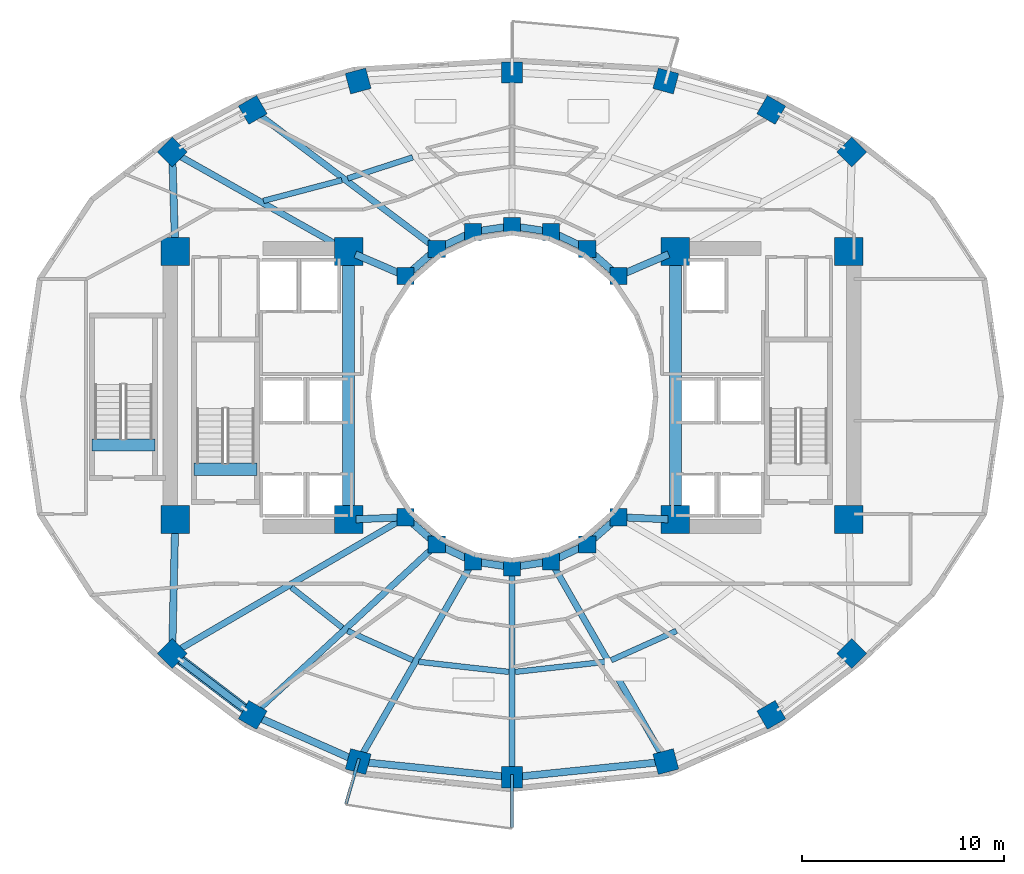
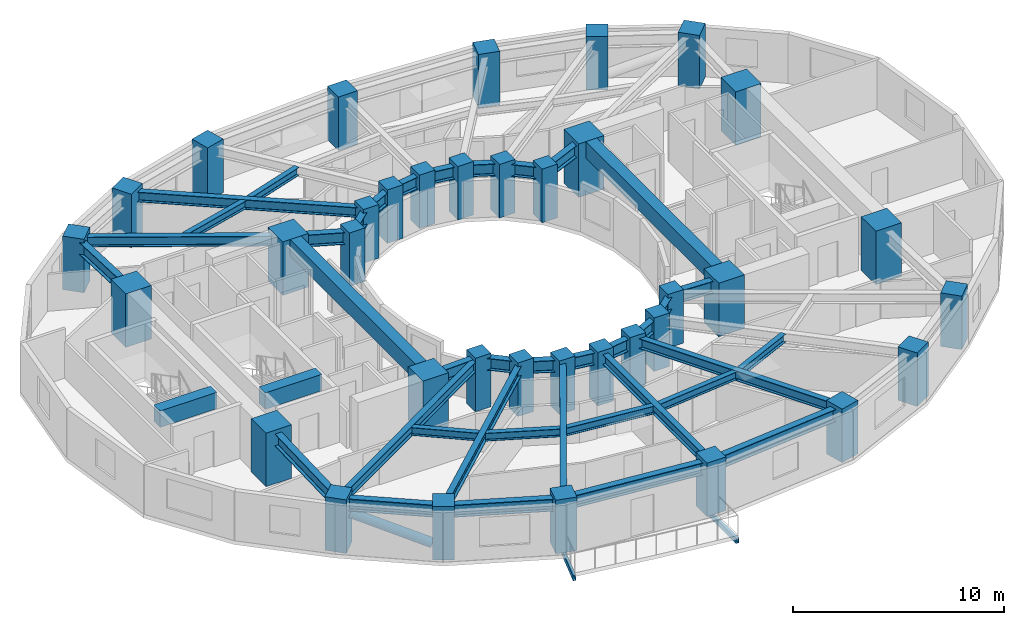
# One storey, part 1 of 9: 42 beams, 36 columns, 1 member.
"""IFC4 building model written with IfcOpenShell, lengths in metres."""

from ifc_helpers import new_model, si_unit, direction, frame, origin, origin_2d, place, context, subcontext, project, spatial, rectangle, hollow_rectangle, hollow_circle, i_section, extrude, material, material_profile, profile_set, type_object, element, save


model = new_model("IFC4")

# Units and contexts
model_context = context("Model", 3, precision=1e-05, world=origin(), true_north=direction((0.0, 1.0)))
body_context = subcontext(model_context, "Body", "Model", "MODEL_VIEW")
ifc_project = project(units=[si_unit("LENGTHUNIT", "METRE"), si_unit("AREAUNIT", "SQUARE_METRE"), si_unit("VOLUMEUNIT", "CUBIC_METRE"), si_unit("PLANEANGLEUNIT", "RADIAN"), si_unit("MASSUNIT", "GRAM", prefix="KILO")], contexts=[model_context])

# Site, building, storey
site_placement = place(None, origin())
site = spatial("IfcSite", under=ifc_project, at=site_placement, CompositionType="ELEMENT")
building_placement = place(site_placement, origin())
building = spatial("IfcBuilding", under=site, at=building_placement, Name="Solvane Sanctuary Tower", CompositionType="ELEMENT")
storey_placement = place(building_placement, frame((0.0, 0.0, 98.0)))
storey = spatial("IfcBuildingStorey", under=building, at=storey_placement, Name="L29", CompositionType="ELEMENT", Elevation=98.0)

# Columns
ifc_material_1 = material(Name="Concrete C70/85", Category="concrete")
ifc_material_profile_1 = material_profile(ifc_material_1, rectangle(XDim=1.39990234375, YDim=1.39990234375, at=origin_2d()), Name="RC1400X1400")
ifc_profile_set_1 = profile_set([ifc_material_profile_1], Name="Concrete C70/85")
column_type_1 = type_object("IfcColumnType", Name="Column C-POD-INT RC1400X1400", PredefinedType="COLUMN", material=ifc_profile_set_1)
for number, where, z_axis, x_axis, name in (
    (1, (15.300048828125, 16.89990234375, 0.0), (0.0, 0.0, 1.0), (1.0, 0.0, 0.0), "L29 Core Corner Column CW1"),
    (2, (23.89990234375, 16.89990234375, 0.0), (0.0, 0.0, 1.0), (1.0, 0.0, 0.0), "L29 Core Corner Column CW2"),
    (3, (23.89990234375, 30.199951171875, 0.0), (0.0, 0.0, 1.0), (1.0, 0.0, 0.0), "L29 Core Corner Column CW3"),
    (4, (15.300048828125, 30.199951171875, 0.0), (0.0, 0.0, 1.0), (1.0, 0.0, 0.0), "L29 Core Corner Column CW4"),
    (5, (40.10009765625, 16.89990234375, 0.0), (0.0, 0.0, 1.0), (1.0, 0.0, 0.0), "L29 Core Corner Column CE1"),
    (6, (48.699951171875, 16.89990234375, 0.0), (0.0, 0.0, 1.0), (1.0, 0.0, 0.0), "L29 Core Corner Column CE2"),
    (7, (48.699951171875, 30.199951171875, 0.0), (0.0, 0.0, 1.0), (1.0, 0.0, 0.0), "L29 Core Corner Column CE3"),
    (8, (40.10009765625, 30.199951171875, 0.0), (0.0, 0.0, 1.0), (1.0, 0.0, 0.0), "L29 Core Corner Column CE4"),
):
    element("IfcColumn", number, at=place(storey_placement, frame(where, z_axis=z_axis, x_axis=x_axis)), inside=storey, type_object=column_type_1, Name=name, PredefinedType="COLUMN", context=body_context, shape_type="SweptSolid", body=[
        extrude(rectangle(XDim=1.39990234375, YDim=1.39990234375, at=origin_2d()), origin(), (0.0, 0.0, 1.0), 3.10009765625),
    ])
ifc_material_2 = material(Name="Concrete C60/75", Category="concrete")
ifc_material_profile_2 = material_profile(ifc_material_2, rectangle(XDim=0.85009765625, YDim=0.85009765625, at=origin_2d()), Name="RC850X850")
ifc_profile_set_2 = profile_set([ifc_material_profile_2], Name="Concrete C60/75")
column_type_2 = type_object("IfcColumnType", Name="Column C-RING-Z2 RC850X850", PredefinedType="COLUMN", material=ifc_profile_set_2)
for number, where, z_axis, x_axis, name in (
    (9, (37.27490234375, 28.982177734375, 0.0), (0.0, 0.0, 1.0), (1.0, 0.0, 0.0), "L29 Inner Light-Well Ring Column IC01"),
    (10, (35.72998046875, 30.32666015625, 0.0), (0.0, 0.0, 1.0), (1.0, 0.0, 0.0), "L29 Inner Light-Well Ring Column IC02"),
    (11, (33.930908203125, 31.171630859375, 0.0), (0.0, 0.0, 1.0), (1.0, 0.0, 0.0), "L29 Inner Light-Well Ring Column IC03"),
    (12, (32.0, 31.4599609375, 0.0), (0.0, 0.0, 1.0), (1.0, 0.0, 0.0), "L29 Inner Light-Well Ring Column IC04"),
    (13, (30.069091796875, 31.171630859375, 0.0), (0.0, 0.0, 1.0), (1.0, 0.0, 0.0), "L29 Inner Light-Well Ring Column IC05"),
    (14, (28.27001953125, 30.32666015625, 0.0), (0.0, 0.0, 1.0), (1.0, 0.0, 0.0), "L29 Inner Light-Well Ring Column IC06"),
    (15, (26.72509765625, 28.982177734375, 0.0), (0.0, 0.0, 1.0), (1.0, 0.0, 0.0), "L29 Inner Light-Well Ring Column IC07"),
    (16, (26.72509765625, 17.017822265625, 0.0), (0.0, 0.0, 1.0), (1.0, 0.0, 0.0), "L29 Inner Light-Well Ring Column IC08"),
    (17, (28.27001953125, 15.67333984375, 0.0), (0.0, 0.0, 1.0), (1.0, 0.0, 0.0), "L29 Inner Light-Well Ring Column IC09"),
    (18, (30.069091796875, 14.828369140625, 0.0), (0.0, 0.0, 1.0), (1.0, 0.0, 0.0), "L29 Inner Light-Well Ring Column IC10"),
    (19, (32.0, 14.5400390625, 0.0), (0.0, 0.0, 1.0), (1.0, 0.0, 0.0), "L29 Inner Light-Well Ring Column IC11"),
    (20, (33.930908203125, 14.828369140625, 0.0), (0.0, 0.0, 1.0), (1.0, 0.0, 0.0), "L29 Inner Light-Well Ring Column IC12"),
    (21, (35.72998046875, 15.67333984375, 0.0), (0.0, 0.0, 1.0), (1.0, 0.0, 0.0), "L29 Inner Light-Well Ring Column IC13"),
    (22, (37.27490234375, 17.017822265625, 0.0), (0.0, 0.0, 1.0), (1.0, 0.0, 0.0), "L29 Inner Light-Well Ring Column IC14"),
):
    element("IfcColumn", number, at=place(storey_placement, frame(where, z_axis=z_axis, x_axis=x_axis)), inside=storey, type_object=column_type_2, Name=name, PredefinedType="COLUMN", context=body_context, shape_type="SweptSolid", body=[
        extrude(rectangle(XDim=0.85009765625, YDim=0.85009765625, at=origin_2d()), origin(), (0.0, 0.0, 1.0), 3.10009765625),
    ])
ifc_material_profile_3 = material_profile(ifc_material_2, rectangle(XDim=1.050048828125, YDim=1.050048828125, at=origin_2d()), Name="RC1050X1050")
ifc_profile_set_3 = profile_set([ifc_material_profile_3], Name="Concrete C60/75")
column_type_3 = type_object("IfcColumnType", Name="Column C-TUBE-Z2 RC1050X1050", PredefinedType="COLUMN", material=ifc_profile_set_3)
for number, where, z_axis, x_axis, name in (
    (23, (48.85302734375, 35.13818359375, 0.0), (0.0, 0.0, 1.0), (0.707106781187, 0.707106781187, 0.0), "L29 Perimeter Tube Column TC01"),
    (24, (44.8583984375, 37.217529296875, 0.0), (0.0, 0.0, 1.0), (0.5, 0.866025403784, 0.0), "L29 Perimeter Tube Column TC02"),
    (25, (39.62939453125, 38.652099609375, 0.0), (0.0, 0.0, 1.0), (0.258819045103, 0.965925826289, 0.0), "L29 Perimeter Tube Column TC03"),
    (26, (32.0, 39.080078125, 0.0), (0.0, 0.0, 1.0), (0.0, 1.0, 0.0), "L29 Perimeter Tube Column TC04"),
    (27, (24.37060546875, 38.652099609375, 0.0), (0.0, 0.0, 1.0), (-0.258819045103, 0.965925826289, 0.0), "L29 Perimeter Tube Column TC05"),
    (28, (19.1416015625, 37.217529296875, 0.0), (0.0, 0.0, 1.0), (-0.5, 0.866025403784, 0.0), "L29 Perimeter Tube Column TC06"),
    (29, (15.14697265625, 35.13818359375, 0.0), (0.0, 0.0, 1.0), (-0.707106781187, 0.707106781187, 0.0), "L29 Perimeter Tube Column TC07"),
    (30, (15.14697265625, 10.257080078125, 0.0), (0.0, 0.0, 1.0), (-0.707106781187, -0.707106781187, 0.0), "L29 Perimeter Tube Column TC08"),
    (31, (19.1416015625, 7.2138671875, 0.0), (0.0, 0.0, 1.0), (-0.5, -0.866025403784, 0.0), "L29 Perimeter Tube Column TC09"),
    (32, (24.37060546875, 4.89990234375, 0.0), (0.0, 0.0, 1.0), (-0.258819045103, -0.965925826289, 0.0), "L29 Perimeter Tube Column TC10"),
    (33, (32.0, 4.1201171875, 0.0), (0.0, 0.0, 1.0), (0.0, -1.0, 0.0), "L29 Perimeter Tube Column TC11"),
    (34, (39.62939453125, 4.89990234375, 0.0), (0.0, 0.0, 1.0), (0.258819045103, -0.965925826289, 0.0), "L29 Perimeter Tube Column TC12"),
    (35, (44.8583984375, 7.2138671875, 0.0), (0.0, 0.0, 1.0), (0.5, -0.866025403784, 0.0), "L29 Perimeter Tube Column TC13"),
    (36, (48.85302734375, 10.257080078125, 0.0), (0.0, 0.0, 1.0), (0.707106781187, -0.707106781187, 0.0), "L29 Perimeter Tube Column TC14"),
):
    element("IfcColumn", number, at=place(storey_placement, frame(where, z_axis=z_axis, x_axis=x_axis)), inside=storey, type_object=column_type_3, Name=name, PredefinedType="COLUMN", context=body_context, shape_type="SweptSolid", body=[
        extrude(rectangle(XDim=1.050048828125, YDim=1.050048828125, at=origin_2d()), origin(), (0.0, 0.0, 1.0), 3.10009765625),
    ])

# Beams
ifc_material_3 = material(Name="Steel ASTM A500 Grade C", Category="steel")
ifc_material_profile_4 = material_profile(ifc_material_3, hollow_rectangle(XDim=0.14990234375, YDim=0.300048828125, WallThickness=0.010009765625, at=origin_2d()), Name="HSS300X150X10")
ifc_profile_set_4 = profile_set([ifc_material_profile_4], Name="Steel ASTM A500 Grade C")
beam_type_1 = type_object("IfcBeamType", Name="Beam B-BALC-BRK HSS300X150X10", PredefinedType="BEAM", material=ifc_profile_set_4)
beam_1_placement = place(storey_placement, frame((24.412109375, 5.044189453125, -0.3720703125), z_axis=(-0.277451374263, -0.960739681141, 0.0), x_axis=(0.960739681141, -0.277451374263, 0.0)))
element("IfcBeam", 37, at=beam_1_placement, inside=storey, type_object=beam_type_1, Name="L29 Balcony Bracket SC-1", PredefinedType="BEAM", context=body_context, shape_type="SweptSolid", body=[
    extrude(hollow_rectangle(XDim=0.14990234375, YDim=0.300048828125, WallThickness=0.010009765625, at=origin_2d()), origin(), (0.0, 0.0, 1.0), 2.32568359375),
])
beam_2_placement = place(storey_placement, frame((32.0, 4.27001953125, -0.3720703125), z_axis=(0.0, -1.0, 0.0), x_axis=(1.0, 0.0, 0.0)))
element("IfcBeam", 38, at=beam_2_placement, inside=storey, type_object=beam_type_1, Name="L29 Balcony Bracket SC-2", PredefinedType="BEAM", context=body_context, shape_type="SweptSolid", body=[
    extrude(hollow_rectangle(XDim=0.14990234375, YDim=0.300048828125, WallThickness=0.010009765625, at=origin_2d()), origin(), (0.0, 0.0, 1.0), 2.64794921875),
])
ifc_material_profile_5 = material_profile(ifc_material_1, rectangle(XDim=0.60009765625, YDim=0.949951171875, at=origin_2d()), Name="RC600X950")
ifc_profile_set_5 = profile_set([ifc_material_profile_5], Name="Concrete C70/85")
beam_type_2 = type_object("IfcBeamType", Name="Beam B-COUPLE RC600X950", PredefinedType="LINTEL", material=ifc_profile_set_5)
for number, where, z_axis, x_axis, name in (
    (39, (23.89990234375, 17.35009765625, 2.625), (0.0, 1.0, 0.0), (-1.0, 0.0, 0.0), "L29 West Core Coupling Lintel"),
    (40, (40.10009765625, 17.35009765625, 2.625), (0.0, 1.0, 0.0), (-1.0, 0.0, 0.0), "L29 East Core Coupling Lintel"),
):
    element("IfcBeam", number, at=place(storey_placement, frame(where, z_axis=z_axis, x_axis=x_axis)), inside=storey, type_object=beam_type_2, Name=name, PredefinedType="LINTEL", context=body_context, shape_type="SweptSolid", body=[
        extrude(rectangle(XDim=0.60009765625, YDim=0.949951171875, at=origin_2d()), origin(), (0.0, 0.0, 1.0), 12.39990234375),
    ])
for number, where, z_axis, x_axis, name in (
    (41, (16.22998046875, 19.399169921875, 2.625), (1.0, 0.0, 0.0), (0.0, 1.0, 0.0), "L29 ST-1 Stair Floor Landing Trimmer"),
    (42, (11.169921875, 20.59912109375, 2.625), (1.0, 0.0, 0.0), (0.0, 1.0, 0.0), "L29 ST-3 Stair Floor Landing Trimmer"),
):
    element("IfcBeam", number, at=place(storey_placement, frame(where, z_axis=z_axis, x_axis=x_axis)), inside=storey, type_object=beam_type_2, Name=name, PredefinedType="LINTEL", context=body_context, shape_type="SweptSolid", body=[
        extrude(rectangle(XDim=0.60009765625, YDim=0.949951171875, at=origin_2d()), origin(), (0.0, 0.0, 1.0), 3.1201171875),
    ])
ifc_material_4 = material(Name="Steel ASTM A992 Grade 50", Category="steel")
ifc_material_profile_6 = material_profile(ifc_material_4, i_section(OverallWidth=0.31494140625, OverallDepth=0.575927734375, WebThickness=0.01513671875, FlangeThickness=0.0244140625, FilletRadius=0.014892578125, at=origin_2d()), Name="W21X122")
ifc_profile_set_6 = profile_set([ifc_material_profile_6], Name="Steel ASTM A992 Grade 50")
beam_type_3 = type_object("IfcBeamType", Name="Beam B-RAD-Z2 W21X122", PredefinedType="BEAM", material=ifc_profile_set_6)
beam_3_placement = place(storey_placement, frame((28.04638671875, 30.495361328125, 2.590087890625), z_axis=(-0.798116040134, 0.602503764703, 0.0), x_axis=(-0.602503764703, -0.798116040134, 0.0)))
element("IfcBeam", 43, at=beam_3_placement, inside=storey, type_object=beam_type_3, Name="L29 Radial Composite Floor Beam 06", PredefinedType="BEAM", context=body_context, shape_type="SweptSolid", body=[
    extrude(i_section(OverallWidth=0.31494140625, OverallDepth=0.575927734375, WebThickness=0.01513671875, FlangeThickness=0.0244140625, FilletRadius=0.014892578125, at=origin_2d()), origin(), (0.0, 0.0, 1.0), 10.876953125),
])
beam_4_placement = place(storey_placement, frame((23.58642578125, 30.376953125, 2.590087890625), z_axis=(-0.870960247151, 0.491353485673, 0.0), x_axis=(-0.491353485673, -0.870960247151, 0.0)))
element("IfcBeam", 44, at=beam_4_placement, inside=storey, type_object=beam_type_3, Name="L29 Radial Composite Floor Beam 07", PredefinedType="BEAM", context=body_context, shape_type="SweptSolid", body=[
    extrude(i_section(OverallWidth=0.31494140625, OverallDepth=0.575927734375, WebThickness=0.01513671875, FlangeThickness=0.0244140625, FilletRadius=0.014892578125, at=origin_2d()), origin(), (0.0, 0.0, 1.0), 9.409912109375),
])
beam_5_placement = place(storey_placement, frame((26.483154296875, 16.876708984375, 2.590087890625), z_axis=(-0.863554121542, -0.504256164234, 0.0), x_axis=(0.504256164234, -0.863554121542, 0.0)))
element("IfcBeam", 45, at=beam_5_placement, inside=storey, type_object=beam_type_3, Name="L29 Radial Composite Floor Beam 08", PredefinedType="BEAM", context=body_context, shape_type="SweptSolid", body=[
    extrude(i_section(OverallWidth=0.31494140625, OverallDepth=0.575927734375, WebThickness=0.01513671875, FlangeThickness=0.0244140625, FilletRadius=0.014892578125, at=origin_2d()), origin(), (0.0, 0.0, 1.0), 12.84716796875),
])
beam_6_placement = place(storey_placement, frame((28.064697265625, 15.483154296875, 2.590087890625), z_axis=(-0.733453775248, -0.679739332078, 0.0), x_axis=(0.679739332078, -0.733453775248, 0.0)))
element("IfcBeam", 46, at=beam_6_placement, inside=storey, type_object=beam_type_3, Name="L29 Radial Composite Floor Beam 09", PredefinedType="BEAM", context=body_context, shape_type="SweptSolid", body=[
    extrude(i_section(OverallWidth=0.31494140625, OverallDepth=0.575927734375, WebThickness=0.01513671875, FlangeThickness=0.0244140625, FilletRadius=0.014892578125, at=origin_2d()), origin(), (0.0, 0.0, 1.0), 11.885498046875),
])
beam_7_placement = place(storey_placement, frame((29.9296875, 14.58544921875, 2.590087890625), z_axis=(-0.497792245326, -0.8672963049, 0.0), x_axis=(0.8672963049, -0.497792245326, 0.0)))
element("IfcBeam", 47, at=beam_7_placement, inside=storey, type_object=beam_type_3, Name="L29 Radial Composite Floor Beam 10", PredefinedType="BEAM", context=body_context, shape_type="SweptSolid", body=[
    extrude(i_section(OverallWidth=0.31494140625, OverallDepth=0.575927734375, WebThickness=0.01513671875, FlangeThickness=0.0244140625, FilletRadius=0.014892578125, at=origin_2d()), origin(), (0.0, 0.0, 1.0), 10.887451171875),
])
beam_8_placement = place(storey_placement, frame((32.0, 14.260009765625, 2.590087890625), z_axis=(0.0, -1.0, 0.0), x_axis=(1.0, 0.0, 0.0)))
element("IfcBeam", 48, at=beam_8_placement, inside=storey, type_object=beam_type_3, Name="L29 Radial Composite Floor Beam 11", PredefinedType="BEAM", context=body_context, shape_type="SweptSolid", body=[
    extrude(i_section(OverallWidth=0.31494140625, OverallDepth=0.575927734375, WebThickness=0.01513671875, FlangeThickness=0.0244140625, FilletRadius=0.014892578125, at=origin_2d()), origin(), (0.0, 0.0, 1.0), 9.860107421875),
])
beam_9_placement = place(storey_placement, frame((34.0703125, 14.58544921875, 2.590087890625), z_axis=(0.497792245326, -0.8672963049, 0.0), x_axis=(0.8672963049, 0.497792245326, 0.0)))
element("IfcBeam", 49, at=beam_9_placement, inside=storey, type_object=beam_type_3, Name="L29 Radial Composite Floor Beam 12", PredefinedType="BEAM", context=body_context, shape_type="SweptSolid", body=[
    extrude(i_section(OverallWidth=0.31494140625, OverallDepth=0.575927734375, WebThickness=0.01513671875, FlangeThickness=0.0244140625, FilletRadius=0.014892578125, at=origin_2d()), origin(), (0.0, 0.0, 1.0), 10.887451171875),
])
ifc_material_profile_7 = material_profile(ifc_material_4, i_section(OverallWidth=0.35498046875, OverallDepth=0.695068359375, WebThickness=0.015380859375, FlangeThickness=0.02490234375, FilletRadius=0.01806640625, at=origin_2d()), Name="W27X146")
ifc_profile_set_7 = profile_set([ifc_material_profile_7], Name="Steel ASTM A992 Grade 50")
beam_type_4 = type_object("IfcBeamType", Name="Beam B-RING-IN1 W27X146", PredefinedType="BEAM", material=ifc_profile_set_7)
beam_10_placement = place(storey_placement, frame((24.230712890625, 30.0576171875, 2.530517578125), z_axis=(0.918261456479, -0.3959746173, 0.0), x_axis=(0.3959746173, 0.918261456479, 0.0)))
element("IfcBeam", 50, at=beam_10_placement, inside=storey, type_object=beam_type_4, Name="L29 Inner Light-Well Ring Beam CW3-IC07", PredefinedType="BEAM", context=body_context, shape_type="SweptSolid", body=[
    extrude(i_section(OverallWidth=0.35498046875, OverallDepth=0.695068359375, WebThickness=0.015380859375, FlangeThickness=0.02490234375, FilletRadius=0.01806640625, at=origin_2d()), origin(), (0.0, 0.0, 1.0), 2.3212890625),
])
beam_11_placement = place(storey_placement, frame((27.02294921875, 29.241455078125, 2.530517578125), z_axis=(0.754317177099, 0.656510164684, 0.0), x_axis=(-0.656510164684, 0.754317177099, 0.0)))
element("IfcBeam", 51, at=beam_11_placement, inside=storey, type_object=beam_type_4, Name="L29 Inner Light-Well Ring Beam IC07-IC06", PredefinedType="BEAM", context=body_context, shape_type="SweptSolid", body=[
    extrude(i_section(OverallWidth=0.35498046875, OverallDepth=0.695068359375, WebThickness=0.015380859375, FlangeThickness=0.02490234375, FilletRadius=0.01806640625, at=origin_2d()), origin(), (0.0, 0.0, 1.0), 1.258056640625),
])
beam_12_placement = place(storey_placement, frame((28.62744140625, 30.494384765625, 2.530517578125), z_axis=(0.905044882818, 0.425316070804, 0.0), x_axis=(-0.425316070804, 0.905044882818, 0.0)))
element("IfcBeam", 52, at=beam_12_placement, inside=storey, type_object=beam_type_4, Name="L29 Inner Light-Well Ring Beam IC06-IC05", PredefinedType="BEAM", context=body_context, shape_type="SweptSolid", body=[
    extrude(i_section(OverallWidth=0.35498046875, OverallDepth=0.695068359375, WebThickness=0.015380859375, FlangeThickness=0.02490234375, FilletRadius=0.01806640625, at=origin_2d()), origin(), (0.0, 0.0, 1.0), 1.197998046875),
])
for number, where, z_axis, x_axis, name in (
    (53, (30.4599609375, 31.22998046875, 2.530517578125), (0.989034751611, 0.147682971619, 0.0), (-0.147682971619, 0.989034751611, 0.0), "L29 Inner Light-Well Ring Beam IC05-IC04"),
    (54, (32.390625, 31.401611328125, 2.530517578125), (0.989034751611, -0.147682971619, 0.0), (0.147682971619, 0.989034751611, 0.0), "L29 Inner Light-Well Ring Beam IC04-IC03"),
):
    element("IfcBeam", number, at=place(storey_placement, frame(where, z_axis=z_axis, x_axis=x_axis)), inside=storey, type_object=beam_type_4, Name=name, PredefinedType="BEAM", context=body_context, shape_type="SweptSolid", body=[
        extrude(i_section(OverallWidth=0.35498046875, OverallDepth=0.695068359375, WebThickness=0.015380859375, FlangeThickness=0.02490234375, FilletRadius=0.01806640625, at=origin_2d()), origin(), (0.0, 0.0, 1.0), 1.162109375),
    ])
beam_13_placement = place(storey_placement, frame((34.288330078125, 31.00390625, 2.530517578125), z_axis=(0.905044882818, -0.425316070804, 0.0), x_axis=(0.425316070804, 0.905044882818, 0.0)))
element("IfcBeam", 55, at=beam_13_placement, inside=storey, type_object=beam_type_4, Name="L29 Inner Light-Well Ring Beam IC03-IC02", PredefinedType="BEAM", context=body_context, shape_type="SweptSolid", body=[
    extrude(i_section(OverallWidth=0.35498046875, OverallDepth=0.695068359375, WebThickness=0.015380859375, FlangeThickness=0.02490234375, FilletRadius=0.01806640625, at=origin_2d()), origin(), (0.0, 0.0, 1.0), 1.197998046875),
])
beam_14_placement = place(storey_placement, frame((36.028076171875, 30.0673828125, 2.530517578125), z_axis=(0.754317177099, -0.656510164684, 0.0), x_axis=(0.656510164684, 0.754317177099, 0.0)))
element("IfcBeam", 56, at=beam_14_placement, inside=storey, type_object=beam_type_4, Name="L29 Inner Light-Well Ring Beam IC02-IC01", PredefinedType="BEAM", context=body_context, shape_type="SweptSolid", body=[
    extrude(i_section(OverallWidth=0.35498046875, OverallDepth=0.695068359375, WebThickness=0.015380859375, FlangeThickness=0.02490234375, FilletRadius=0.01806640625, at=origin_2d()), origin(), (0.0, 0.0, 1.0), 1.258056640625),
])
beam_15_placement = place(storey_placement, frame((37.6376953125, 29.138427734375, 2.530517578125), z_axis=(0.918261456479, 0.3959746173, 0.0), x_axis=(-0.3959746173, 0.918261456479, 0.0)))
element("IfcBeam", 57, at=beam_15_placement, inside=storey, type_object=beam_type_4, Name="L29 Inner Light-Well Ring Beam IC01-CE4", PredefinedType="BEAM", context=body_context, shape_type="SweptSolid", body=[
    extrude(i_section(OverallWidth=0.35498046875, OverallDepth=0.695068359375, WebThickness=0.015380859375, FlangeThickness=0.02490234375, FilletRadius=0.01806640625, at=origin_2d()), origin(), (0.0, 0.0, 1.0), 2.3212890625),
])
beam_16_placement = place(storey_placement, frame((24.259765625, 16.9150390625, 2.530517578125), z_axis=(0.999130007788, 0.041704047018, 0.0), x_axis=(-0.041704047018, 0.999130007788, 0.0)))
element("IfcBeam", 58, at=beam_16_placement, inside=storey, type_object=beam_type_4, Name="L29 Inner Light-Well Ring Beam CW2-IC08", PredefinedType="BEAM", context=body_context, shape_type="SweptSolid", body=[
    extrude(i_section(OverallWidth=0.35498046875, OverallDepth=0.695068359375, WebThickness=0.015380859375, FlangeThickness=0.02490234375, FilletRadius=0.01806640625, at=origin_2d()), origin(), (0.0, 0.0, 1.0), 2.072265625),
])
beam_17_placement = place(storey_placement, frame((27.02294921875, 16.758544921875, 2.530517578125), z_axis=(0.754317177099, -0.656510164684, 0.0), x_axis=(0.656510164684, 0.754317177099, 0.0)))
element("IfcBeam", 59, at=beam_17_placement, inside=storey, type_object=beam_type_4, Name="L29 Inner Light-Well Ring Beam IC08-IC09", PredefinedType="BEAM", context=body_context, shape_type="SweptSolid", body=[
    extrude(i_section(OverallWidth=0.35498046875, OverallDepth=0.695068359375, WebThickness=0.015380859375, FlangeThickness=0.02490234375, FilletRadius=0.01806640625, at=origin_2d()), origin(), (0.0, 0.0, 1.0), 1.258056640625),
])
beam_18_placement = place(storey_placement, frame((28.62744140625, 15.505615234375, 2.530517578125), z_axis=(0.905044882818, -0.425316070804, 0.0), x_axis=(0.425316070804, 0.905044882818, 0.0)))
element("IfcBeam", 60, at=beam_18_placement, inside=storey, type_object=beam_type_4, Name="L29 Inner Light-Well Ring Beam IC09-IC10", PredefinedType="BEAM", context=body_context, shape_type="SweptSolid", body=[
    extrude(i_section(OverallWidth=0.35498046875, OverallDepth=0.695068359375, WebThickness=0.015380859375, FlangeThickness=0.02490234375, FilletRadius=0.01806640625, at=origin_2d()), origin(), (0.0, 0.0, 1.0), 1.197998046875),
])
for number, where, z_axis, x_axis, name in (
    (61, (30.4599609375, 14.77001953125, 2.530517578125), (0.989034751611, -0.147682971619, 0.0), (0.147682971619, 0.989034751611, 0.0), "L29 Inner Light-Well Ring Beam IC10-IC11"),
    (62, (32.390625, 14.598388671875, 2.530517578125), (0.989034751611, 0.147682971619, 0.0), (-0.147682971619, 0.989034751611, 0.0), "L29 Inner Light-Well Ring Beam IC11-IC12"),
):
    element("IfcBeam", number, at=place(storey_placement, frame(where, z_axis=z_axis, x_axis=x_axis)), inside=storey, type_object=beam_type_4, Name=name, PredefinedType="BEAM", context=body_context, shape_type="SweptSolid", body=[
        extrude(i_section(OverallWidth=0.35498046875, OverallDepth=0.695068359375, WebThickness=0.015380859375, FlangeThickness=0.02490234375, FilletRadius=0.01806640625, at=origin_2d()), origin(), (0.0, 0.0, 1.0), 1.162109375),
    ])
beam_19_placement = place(storey_placement, frame((34.288330078125, 14.99609375, 2.530517578125), z_axis=(0.905044882818, 0.425316070804, 0.0), x_axis=(-0.425316070804, 0.905044882818, 0.0)))
element("IfcBeam", 63, at=beam_19_placement, inside=storey, type_object=beam_type_4, Name="L29 Inner Light-Well Ring Beam IC12-IC13", PredefinedType="BEAM", context=body_context, shape_type="SweptSolid", body=[
    extrude(i_section(OverallWidth=0.35498046875, OverallDepth=0.695068359375, WebThickness=0.015380859375, FlangeThickness=0.02490234375, FilletRadius=0.01806640625, at=origin_2d()), origin(), (0.0, 0.0, 1.0), 1.197998046875),
])
beam_20_placement = place(storey_placement, frame((36.028076171875, 15.9326171875, 2.530517578125), z_axis=(0.754317177099, 0.656510164684, 0.0), x_axis=(-0.656510164684, 0.754317177099, 0.0)))
element("IfcBeam", 64, at=beam_20_placement, inside=storey, type_object=beam_type_4, Name="L29 Inner Light-Well Ring Beam IC13-IC14", PredefinedType="BEAM", context=body_context, shape_type="SweptSolid", body=[
    extrude(i_section(OverallWidth=0.35498046875, OverallDepth=0.695068359375, WebThickness=0.015380859375, FlangeThickness=0.02490234375, FilletRadius=0.01806640625, at=origin_2d()), origin(), (0.0, 0.0, 1.0), 1.258056640625),
])
beam_21_placement = place(storey_placement, frame((37.669677734375, 17.00146484375, 2.530517578125), z_axis=(0.999130007788, -0.041704047018, 0.0), x_axis=(0.041704047018, 0.999130007788, 0.0)))
element("IfcBeam", 65, at=beam_21_placement, inside=storey, type_object=beam_type_4, Name="L29 Inner Light-Well Ring Beam IC14-CE1", PredefinedType="BEAM", context=body_context, shape_type="SweptSolid", body=[
    extrude(i_section(OverallWidth=0.35498046875, OverallDepth=0.695068359375, WebThickness=0.015380859375, FlangeThickness=0.02490234375, FilletRadius=0.01806640625, at=origin_2d()), origin(), (0.0, 0.0, 1.0), 2.072265625),
])
ifc_material_profile_8 = material_profile(ifc_material_4, i_section(OverallWidth=0.280029296875, OverallDepth=0.462890625, WebThickness=0.0107421875, FlangeThickness=0.017333984375, FilletRadius=0.013916015625, at=origin_2d()), Name="W18X76")
ifc_profile_set_8 = profile_set([ifc_material_profile_8], Name="Steel ASTM A992 Grade 50")
beam_type_5 = type_object("IfcBeamType", Name="Beam B-SEC-JOIST W18X76", PredefinedType="JOIST", material=ifc_profile_set_8)
beam_22_placement = place(storey_placement, frame((19.6708984375, 32.7080078125, 2.646484375), z_axis=(0.966943832831, 0.2549894589, 0.0), x_axis=(-0.2549894589, 0.966943832831, 0.0)))
element("IfcBeam", 66, at=beam_22_placement, inside=storey, type_object=beam_type_5, Name="L29 Secondary Circumferential Joist 07-06", PredefinedType="JOIST", context=body_context, shape_type="SweptSolid", body=[
    extrude(i_section(OverallWidth=0.280029296875, OverallDepth=0.462890625, WebThickness=0.0107421875, FlangeThickness=0.017333984375, FilletRadius=0.013916015625, at=origin_2d()), origin(), (0.0, 0.0, 1.0), 4.020263671875),
])
beam_23_placement = place(storey_placement, frame((23.850830078125, 33.819091796875, 2.646484375), z_axis=(0.951216534175, 0.308524075416, 0.0), x_axis=(-0.308524075416, 0.951216534175, 0.0)))
element("IfcBeam", 67, at=beam_23_placement, inside=storey, type_object=beam_type_5, Name="L29 Secondary Circumferential Joist 06-05", PredefinedType="JOIST", context=body_context, shape_type="SweptSolid", body=[
    extrude(i_section(OverallWidth=0.280029296875, OverallDepth=0.462890625, WebThickness=0.0107421875, FlangeThickness=0.017333984375, FilletRadius=0.013916015625, at=origin_2d()), origin(), (0.0, 0.0, 1.0), 3.38916015625),
])
beam_24_placement = place(storey_placement, frame((21.055419921875, 13.54296875, 2.646484375), z_axis=(0.783877123324, -0.620915981055, 0.0), x_axis=(0.620915981055, 0.783877123324, 0.0)))
element("IfcBeam", 68, at=beam_24_placement, inside=storey, type_object=beam_type_5, Name="L29 Secondary Circumferential Joist 08-09", PredefinedType="JOIST", context=body_context, shape_type="SweptSolid", body=[
    extrude(i_section(OverallWidth=0.280029296875, OverallDepth=0.462890625, WebThickness=0.0107421875, FlangeThickness=0.017333984375, FilletRadius=0.013916015625, at=origin_2d()), origin(), (0.0, 0.0, 1.0), 3.228515625),
])
beam_25_placement = place(storey_placement, frame((23.844970703125, 11.381103515625, 2.646484375), z_axis=(0.912109406194, -0.409946863792, 0.0), x_axis=(0.409946863792, 0.912109406194, 0.0)))
element("IfcBeam", 69, at=beam_25_placement, inside=storey, type_object=beam_type_5, Name="L29 Secondary Circumferential Joist 09-10", PredefinedType="JOIST", context=body_context, shape_type="SweptSolid", body=[
    extrude(i_section(OverallWidth=0.280029296875, OverallDepth=0.462890625, WebThickness=0.0107421875, FlangeThickness=0.017333984375, FilletRadius=0.013916015625, at=origin_2d()), origin(), (0.0, 0.0, 1.0), 3.547607421875),
])
for number, where, z_axis, x_axis, name in (
    (70, (27.37158203125, 9.847412109375, 2.646484375), (0.993808821383, -0.111103674747, 0.0), (0.111103674747, 0.993808821383, 0.0), "L29 Secondary Circumferential Joist 10-11"),
    (71, (32.151611328125, 9.346923828125, 2.646484375), (0.993808821383, 0.111103674747, 0.0), (-0.111103674747, 0.993808821383, 0.0), "L29 Secondary Circumferential Joist 11-12"),
):
    element("IfcBeam", number, at=place(storey_placement, frame(where, z_axis=z_axis, x_axis=x_axis)), inside=storey, type_object=beam_type_5, Name=name, PredefinedType="JOIST", context=body_context, shape_type="SweptSolid", body=[
        extrude(i_section(OverallWidth=0.280029296875, OverallDepth=0.462890625, WebThickness=0.0107421875, FlangeThickness=0.017333984375, FilletRadius=0.013916015625, at=origin_2d()), origin(), (0.0, 0.0, 1.0), 4.504638671875),
    ])
beam_26_placement = place(storey_placement, frame((36.919189453125, 9.9267578125, 2.646484375), z_axis=(0.912109406194, 0.409946863792, 0.0), x_axis=(-0.409946863792, 0.912109406194, 0.0)))
element("IfcBeam", 72, at=beam_26_placement, inside=storey, type_object=beam_type_5, Name="L29 Secondary Circumferential Joist 12-13", PredefinedType="JOIST", context=body_context, shape_type="SweptSolid", body=[
    extrude(i_section(OverallWidth=0.280029296875, OverallDepth=0.462890625, WebThickness=0.0107421875, FlangeThickness=0.017333984375, FilletRadius=0.013916015625, at=origin_2d()), origin(), (0.0, 0.0, 1.0), 3.547607421875),
])
ifc_material_profile_9 = material_profile(ifc_material_4, i_section(OverallWidth=0.35791015625, OverallDepth=0.7060546875, WebThickness=0.018310546875, FlangeThickness=0.0302734375, FilletRadius=0.01806640625, at=origin_2d()), Name="W27X178")
ifc_profile_set_9 = profile_set([ifc_material_profile_9], Name="Steel ASTM A992 Grade 50")
beam_type_6 = type_object("IfcBeamType", Name="Beam B-SPAND-Z2 W27X178", PredefinedType="SPANDREL", material=ifc_profile_set_9)
beam_27_placement = place(storey_placement, frame((15.291259765625, 30.47998046875, 2.52490234375), z_axis=(-0.03093371985, 0.999521437977, 0.0), x_axis=(-0.999521437977, -0.03093371985, 0.0)))
element("IfcBeam", 73, at=beam_27_placement, inside=storey, type_object=beam_type_6, Name="L29 Perimeter Spandrel Beam CW4-TC07", PredefinedType="SPANDREL", context=body_context, shape_type="SweptSolid", body=[
    extrude(i_section(OverallWidth=0.35791015625, OverallDepth=0.7060546875, WebThickness=0.018310546875, FlangeThickness=0.0302734375, FilletRadius=0.01806640625, at=origin_2d()), origin(), (0.0, 0.0, 1.0), 4.38037109375),
])
beam_28_placement = place(storey_placement, frame((15.293701171875, 16.6201171875, 2.52490234375), z_axis=(-0.023071397754, -0.999733819877, 0.0), x_axis=(0.999733819877, -0.023071397754, 0.0)))
element("IfcBeam", 74, at=beam_28_placement, inside=storey, type_object=beam_type_6, Name="L29 Perimeter Spandrel Beam CW1-TC08", PredefinedType="SPANDREL", context=body_context, shape_type="SweptSolid", body=[
    extrude(i_section(OverallWidth=0.35791015625, OverallDepth=0.7060546875, WebThickness=0.018310546875, FlangeThickness=0.0302734375, FilletRadius=0.01806640625, at=origin_2d()), origin(), (0.0, 0.0, 1.0), 6.084716796875),
])
beam_29_placement = place(storey_placement, frame((15.36962890625, 10.08740234375, 2.52490234375), z_axis=(0.795473167932, -0.605988811036, 0.0), x_axis=(0.605988811036, 0.795473167932, 0.0)))
element("IfcBeam", 75, at=beam_29_placement, inside=storey, type_object=beam_type_6, Name="L29 Perimeter Spandrel Beam TC08-TC09", PredefinedType="SPANDREL", context=body_context, shape_type="SweptSolid", body=[
    extrude(i_section(OverallWidth=0.35791015625, OverallDepth=0.7060546875, WebThickness=0.018310546875, FlangeThickness=0.0302734375, FilletRadius=0.01806640625, at=origin_2d()), origin(), (0.0, 0.0, 1.0), 4.4619140625),
])
beam_30_placement = place(storey_placement, frame((19.397705078125, 7.1005859375, 2.52490234375), z_axis=(0.914454505181, -0.404688717355, 0.0), x_axis=(0.404688717355, 0.914454505181, 0.0)))
element("IfcBeam", 76, at=beam_30_placement, inside=storey, type_object=beam_type_6, Name="L29 Perimeter Spandrel Beam TC09-TC10", PredefinedType="SPANDREL", context=body_context, shape_type="SweptSolid", body=[
    extrude(i_section(OverallWidth=0.35791015625, OverallDepth=0.7060546875, WebThickness=0.018310546875, FlangeThickness=0.0302734375, FilletRadius=0.01806640625, at=origin_2d()), origin(), (0.0, 0.0, 1.0), 5.157958984375),
])
for number, where, z_axis, x_axis, name in (
    (77, (24.649169921875, 4.87158203125, 2.52490234375), (0.994813029025, -0.101720387737, 0.0), (0.101720387737, 0.994813029025, 0.0), "L29 Perimeter Spandrel Beam TC10-TC11"),
    (78, (32.278564453125, 4.1484375, 2.52490234375), (0.994813029025, 0.101720387737, 0.0), (-0.101720387737, 0.994813029025, 0.0), "L29 Perimeter Spandrel Beam TC11-TC12"),
):
    element("IfcBeam", number, at=place(storey_placement, frame(where, z_axis=z_axis, x_axis=x_axis)), inside=storey, type_object=beam_type_6, Name=name, PredefinedType="SPANDREL", context=body_context, shape_type="SweptSolid", body=[
        extrude(i_section(OverallWidth=0.35791015625, OverallDepth=0.7060546875, WebThickness=0.018310546875, FlangeThickness=0.0302734375, FilletRadius=0.01806640625, at=origin_2d()), origin(), (0.0, 0.0, 1.0), 7.109130859375),
    ])

# Member
ifc_material_profile_10 = material_profile(ifc_material_4, hollow_circle(Radius=0.25390625, WallThickness=0.01611328125, at=origin_2d()), Name="CHS508X16")
ifc_profile_set_10 = profile_set([ifc_material_profile_10], Name="Steel ASTM A992 Grade 50")
member_type = type_object("IfcMemberType", Name="Member M-TUBE-Z2 CHS508X16", PredefinedType="BRACE", material=ifc_profile_set_10)
member_placement = place(storey_placement, frame((18.713134765625, 7.540283203125, 0.572265625), z_axis=(-0.749184797481, 0.570779701738, 0.336054565967), x_axis=(-0.606024564443, -0.795445929836, 0.0)))
element("IfcMember", 79, at=member_placement, inside=storey, type_object=member_type, Name="L29 Perimeter Braced-Tube Diagonal SW", PredefinedType="BRACE", context=body_context, shape_type="SweptSolid", body=[
    extrude(hollow_circle(Radius=0.25390625, WallThickness=0.01611328125, at=origin_2d()), origin(), (0.0, 0.0, 1.0), 4.1875),
])

save(model, "model.ifc")
